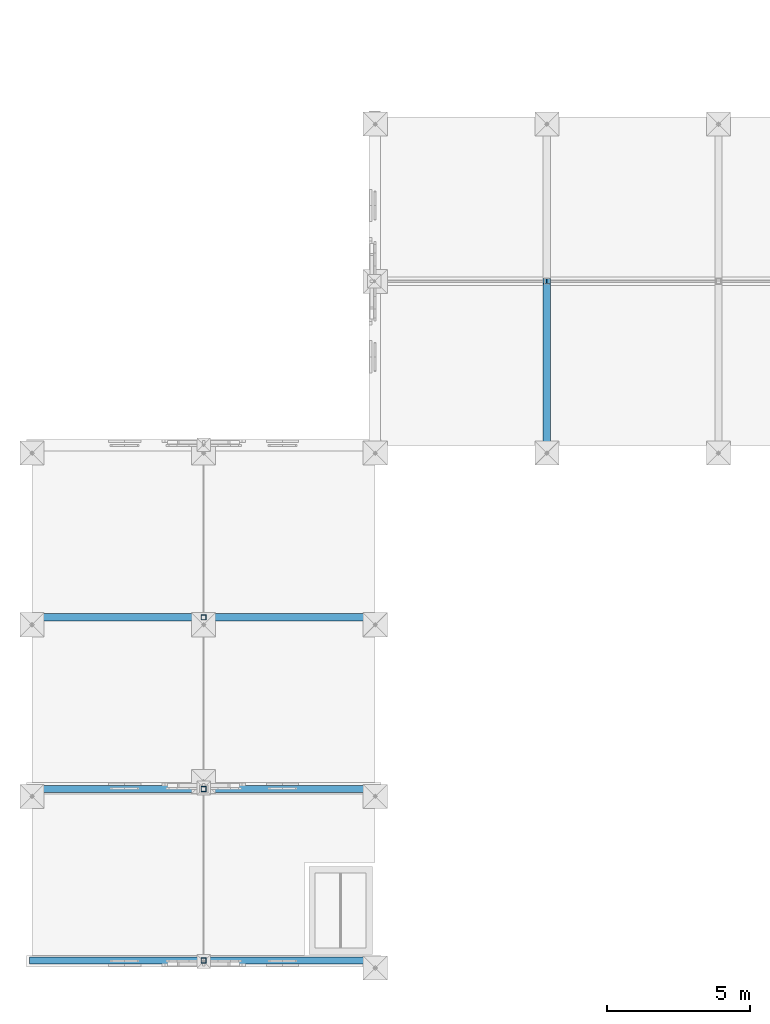
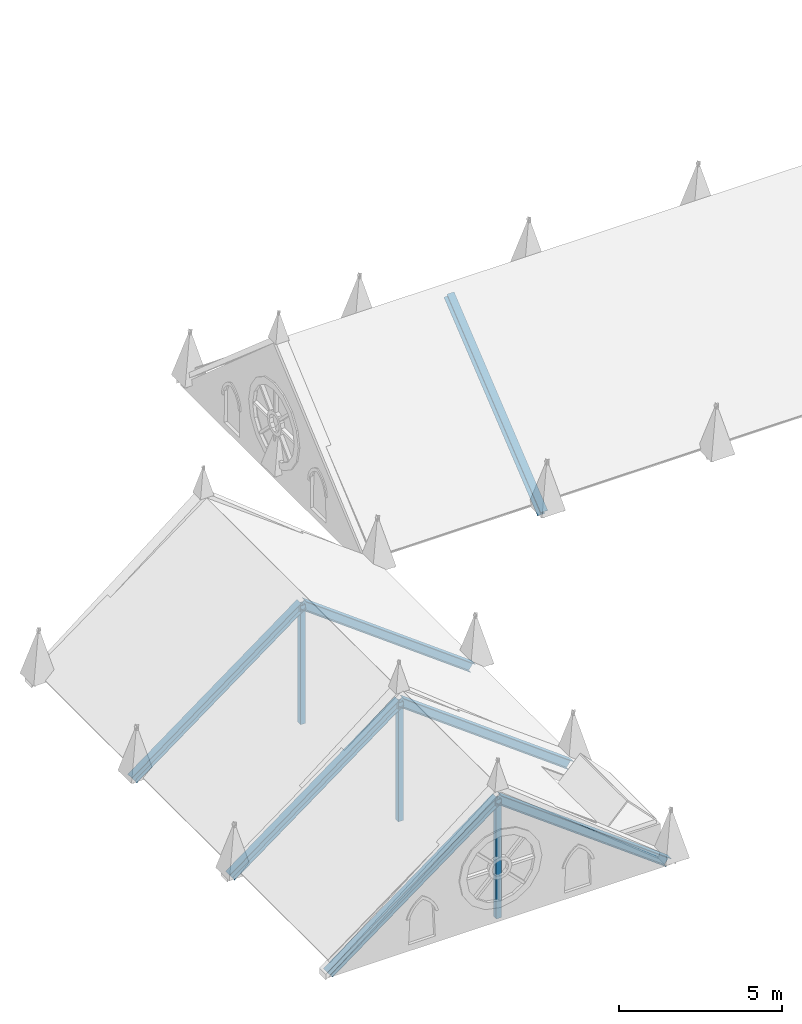
# One storey, part 1 of 33: 10 members.
"""IFC4 building model written with IfcOpenShell, lengths in metres."""

from ifc_helpers import new_model, si_unit, direction, frame, origin, origin_2d, place, context, subcontext, project, spatial, hollow_rectangle, i_section, extrude, material, material_profile, profile_set, type_object, element, save


model = new_model("IFC4")

# Units and contexts
model_context = context("Model", 3, precision=1e-05, world=origin(), true_north=direction((0.0, 1.0)))
body_context = subcontext(model_context, "Body", "Model", "MODEL_VIEW")
ifc_project = project(units=[si_unit("LENGTHUNIT", "METRE"), si_unit("AREAUNIT", "SQUARE_METRE"), si_unit("VOLUMEUNIT", "CUBIC_METRE"), si_unit("PLANEANGLEUNIT", "RADIAN"), si_unit("MASSUNIT", "GRAM", prefix="KILO")], contexts=[model_context])

# Site, building, storey
site_placement = place(None, origin())
site = spatial("IfcSite", under=ifc_project, at=site_placement, CompositionType="ELEMENT")
building_placement = place(site_placement, origin())
building = spatial("IfcBuilding", under=site, at=building_placement, Name="Cumevento Cable Car Station", CompositionType="ELEMENT")
storey_placement = place(building_placement, frame((0.0, 0.0, 22.5)))
storey = spatial("IfcBuildingStorey", under=building, at=storey_placement, Name="RF", CompositionType="ELEMENT", Elevation=22.5)

# Members
ifc_material_1 = material(Name="Steel ASTM A572 Grade 50", Category="steel")
ifc_material_profile_1 = material_profile(ifc_material_1, hollow_rectangle(XDim=0.179931640625, YDim=0.179931640625, WallThickness=0.010009765625, at=origin_2d()), Name="HSS180x180x10.0")
ifc_profile_set_1 = profile_set([ifc_material_profile_1], Name="Steel ASTM A572 Grade 50")
member_type_1 = type_object("IfcMemberType", Name="Framing Brace BR-01 HSS180x180x10.0", PredefinedType="BRACE", material=ifc_profile_set_1)
for number, where, z_axis, x_axis, name in (
    (1, (16.0, 27.0, 0.0), (0.0, 0.0, 1.0), (1.0, 0.0, 0.0), "Wing B_V6b_core King Post #729"),
    (2, (16.0, 33.0, 0.0), (0.0, 0.0, 1.0), (1.0, 0.0, 0.0), "Wing B_V6b_core King Post #732"),
    (3, (16.0, 39.0, 0.0), (0.0, 0.0, 1.0), (1.0, 0.0, 0.0), "Wing B_V6b King Post #735"),
):
    element("IfcMember", number, at=place(storey_placement, frame(where, z_axis=z_axis, x_axis=x_axis)), inside=storey, type_object=member_type_1, Name=name, PredefinedType="BRACE", context=body_context, shape_type="SweptSolid", body=[
        extrude(hollow_rectangle(XDim=0.179931640625, YDim=0.179931640625, WallThickness=0.010009765625, at=origin_2d()), origin(), (0.0, 0.0, 1.0), 4.449951171875),
    ])
ifc_material_2 = material(Name="Steel ASTM A572 Grade 50", Category="steel")
ifc_material_profile_2 = material_profile(ifc_material_2, i_section(OverallWidth=0.25390625, OverallDepth=0.305908203125, WebThickness=0.0087890625, FlangeThickness=0.0146484375, at=origin_2d()), Name="W310x79.0")
ifc_profile_set_2 = profile_set([ifc_material_profile_2], Name="Steel ASTM A572 Grade 50")
member_type_2 = type_object("IfcMemberType", Name="Framing Chord TC-03 W310x79.0", PredefinedType="CHORD", material=ifc_profile_set_2)
for number, where, z_axis, x_axis, name in (
    (4, (10.0, 27.0, 0.0), (0.803204463769, 0.0, 0.595703440801), (0.0, 1.0, 0.0), "Wing B_V6b_core Rafter #730"),
    (5, (22.0, 27.0, 0.0), (-0.803204463769, 0.0, 0.595703440801), (0.0, -1.0, 0.0), "Wing B_V6b_core Rafter #731"),
    (6, (10.0, 33.0, 0.0), (0.803204463769, 0.0, 0.595703440801), (0.0, 1.0, 0.0), "Wing B_V6b_core Rafter #733"),
    (7, (22.0, 33.0, 0.0), (-0.803204463769, 0.0, 0.595703440801), (0.0, -1.0, 0.0), "Wing B_V6b_core Rafter #734"),
    (8, (10.0, 39.0, 0.0), (0.803204463769, 0.0, 0.595703440801), (0.0, 1.0, 0.0), "Wing B_V6b Rafter #736"),
    (9, (22.0, 39.0, 0.0), (-0.803204463769, 0.0, 0.595703440801), (0.0, -1.0, 0.0), "Wing B_V6b Rafter #737"),
):
    element("IfcMember", number, at=place(storey_placement, frame(where, z_axis=z_axis, x_axis=x_axis)), inside=storey, type_object=member_type_2, Name=name, PredefinedType="CHORD", context=body_context, shape_type="SweptSolid", body=[
        extrude(i_section(OverallWidth=0.25390625, OverallDepth=0.305908203125, WebThickness=0.0087890625, FlangeThickness=0.0146484375, at=origin_2d()), origin(), (0.0, 0.0, 1.0), 7.469970703125),
    ])
member_placement = place(storey_placement, frame((28.0, 45.0, 0.0), z_axis=(0.0, 0.774260404587, 0.632867147108), x_axis=(-1.0, 0.0, 0.0)))
element("IfcMember", 10, at=member_placement, inside=storey, type_object=member_type_2, Name="Wing B_V6c Rafter #739", PredefinedType="CHORD", context=body_context, shape_type="SweptSolid", body=[
    extrude(i_section(OverallWidth=0.25390625, OverallDepth=0.305908203125, WebThickness=0.0087890625, FlangeThickness=0.0146484375, at=origin_2d()), origin(), (0.0, 0.0, 1.0), 7.426513671875),
])

save(model, "model.ifc")
